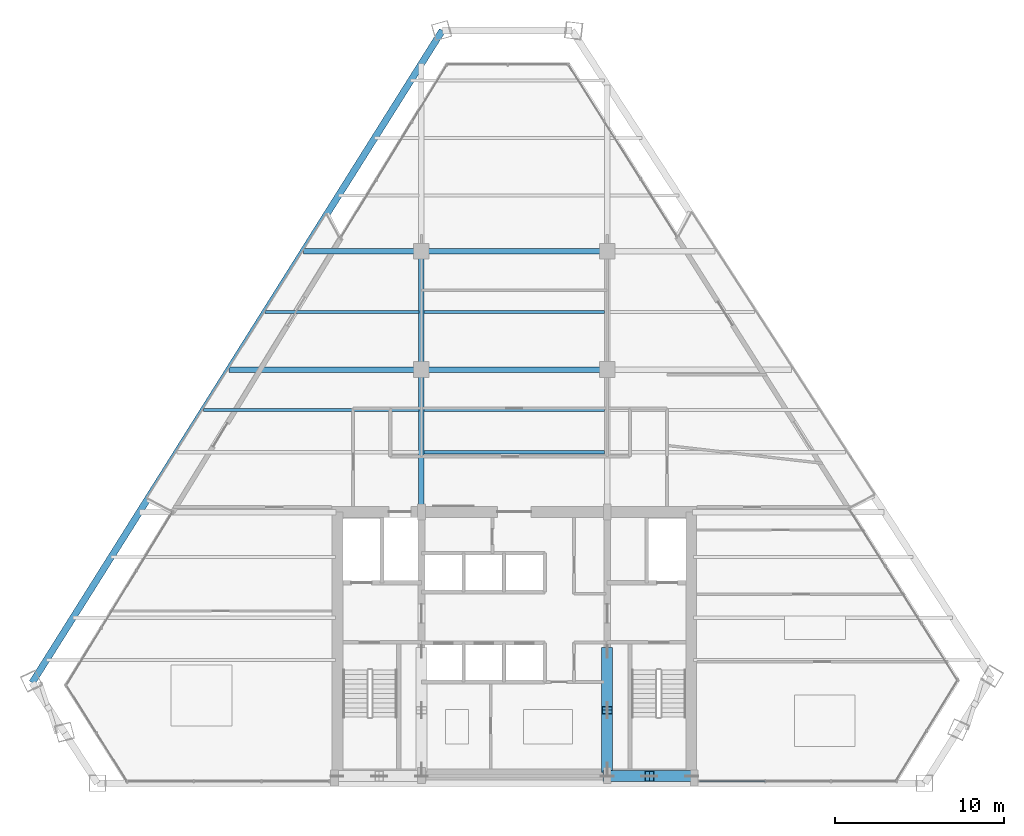
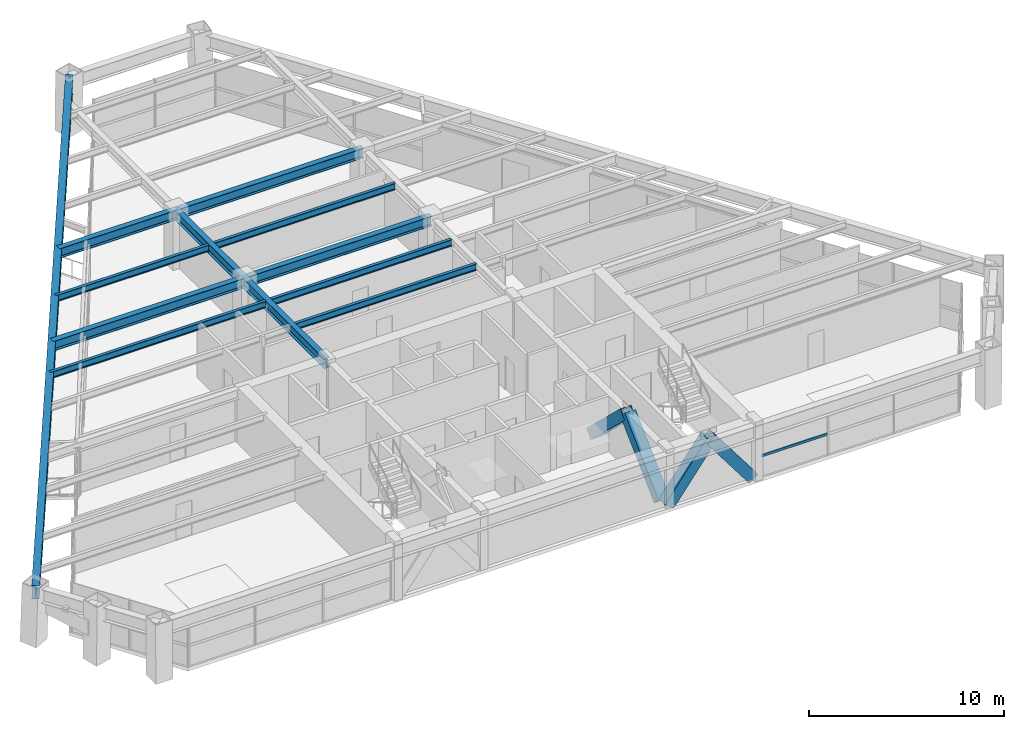
# One storey, part 5 of 15: 12 beams, 5 members, 1 element without a shape of its own.
"""IFC4 building model written with IfcOpenShell, lengths in metres."""

from ifc_helpers import new_model, si_unit, direction, frame, origin, origin_2d, place, context, subcontext, project, spatial, rectangle, hollow_rectangle, i_section, extrude, source, transform, mapped, material, material_profile, profile_set, type_object, type_shapes, element, aggregate, save


model = new_model("IFC4")

# Units and contexts
model_context = context("Model", 3, precision=1e-05, world=origin(), true_north=direction((0.0, 1.0)))
body_context = subcontext(model_context, "Body", "Model", "MODEL_VIEW")
ifc_project = project(units=[si_unit("LENGTHUNIT", "METRE"), si_unit("AREAUNIT", "SQUARE_METRE"), si_unit("VOLUMEUNIT", "CUBIC_METRE"), si_unit("PLANEANGLEUNIT", "RADIAN"), si_unit("MASSUNIT", "GRAM", prefix="KILO")], contexts=[model_context])

# Site, building, storey
site_placement = place(None, origin())
site = spatial("IfcSite", under=ifc_project, at=site_placement, CompositionType="ELEMENT")
building_placement = place(site_placement, origin())
building = spatial("IfcBuilding", under=site, at=building_placement, Name="Varnakhor Terracotta Tower", CompositionType="ELEMENT")
storey_placement = place(building_placement, frame((0.0, 0.0, 196.89990234375)))
storey = spatial("IfcBuildingStorey", under=building, at=storey_placement, Name="L50", CompositionType="ELEMENT", Elevation=196.89990234375)

# Beams
ifc_material_1 = material(Name="Steel S355", Category="steel")
ifc_material_profile_1 = material_profile(ifc_material_1, i_section(OverallWidth=0.324951171875, OverallDepth=0.615966796875, WebThickness=0.013916015625, FlangeThickness=0.02197265625, FilletRadius=0.01806640625, at=origin_2d()), Name="W24X117")
ifc_profile_set_1 = profile_set([ifc_material_profile_1], Name="Steel S355")
beam_type_1 = type_object("IfcBeamType", Name="BM-W24X117", PredefinedType="BEAM", material=ifc_profile_set_1)
shared_shape_1 = source(origin(), body_context, "Body", "SweptSolid", [
    extrude(i_section(OverallWidth=0.324951171875, OverallDepth=0.615966796875, WebThickness=0.013916015625, FlangeThickness=0.02197265625, FilletRadius=0.01806640625, at=origin_2d()), origin(), (0.0, 0.0, 1.0), 8.449951171875),
])
type_shapes(beam_type_1, [shared_shape_1])
beam_1_placement = place(storey_placement, frame((-5.5, 16.050048828125, 3.162109375), z_axis=(0.0, 1.0, 0.0), x_axis=(-1.0, 0.0, 0.0)))
element("IfcBeam", 1, at=beam_1_placement, inside=storey, type_object=beam_type_1, Name="L50 Primary Girder NS1-W", PredefinedType="BEAM", context=body_context, shape_type="MappedRepresentation", body=[
    mapped(shared_shape_1, transform((0.0, 0.0, 0.0), scale=1.0)),
])
shared_shape_2 = source(origin(), body_context, "Body", "SweptSolid", [
    extrude(i_section(OverallWidth=0.324951171875, OverallDepth=0.615966796875, WebThickness=0.013916015625, FlangeThickness=0.02197265625, FilletRadius=0.01806640625, at=origin_2d()), origin(), (0.0, 0.0, 1.0), 7.0),
])
beam_2_placement = place(storey_placement, frame((-5.5, 24.5, 3.162109375), z_axis=(0.0, 1.0, 0.0), x_axis=(-1.0, 0.0, 0.0)))
element("IfcBeam", 2, at=beam_2_placement, inside=storey, type_object=beam_type_1, Name="L50 Primary Girder NS2-W", PredefinedType="BEAM", context=body_context, shape_type="MappedRepresentation", body=[
    mapped(shared_shape_2, transform((0.0, 0.0, 0.0), scale=1.0)),
])
shared_shape_3 = source(origin(), body_context, "Body", "SweptSolid", [
    extrude(i_section(OverallWidth=0.324951171875, OverallDepth=0.615966796875, WebThickness=0.013916015625, FlangeThickness=0.02197265625, FilletRadius=0.01806640625, at=origin_2d()), origin(), (0.0, 0.0, 1.0), 11.0),
])
for number, where, z_axis, x_axis, name in (
    (3, (-5.5, 24.5, 3.162109375), (1.0, 0.0, 0.0), (0.0, 1.0, 0.0), "L50 Primary Girder EW2-2"),
    (4, (-5.5, 31.5, 3.162109375), (1.0, 0.0, 0.0), (0.0, 1.0, 0.0), "L50 Primary Girder EW3-2"),
):
    element("IfcBeam", number, at=place(storey_placement, frame(where, z_axis=z_axis, x_axis=x_axis)), inside=storey, type_object=beam_type_1, Name=name, PredefinedType="BEAM", context=body_context, shape_type="MappedRepresentation", body=[
        mapped(shared_shape_3, transform((0.0, 0.0, 0.0), scale=1.0)),
    ])
ifc_material_profile_2 = material_profile(ifc_material_1, i_section(OverallWidth=0.179931640625, OverallDepth=0.4130859375, WebThickness=0.009765625, FlangeThickness=0.01611328125, FilletRadius=0.01806640625, at=origin_2d()), Name="W16X50")
ifc_profile_set_2 = profile_set([ifc_material_profile_2], Name="Steel S355")
beam_type_2 = type_object("IfcBeamType", Name="JST-W16X50", PredefinedType="JOIST", material=ifc_profile_set_2)
shared_shape_4 = source(origin(), body_context, "Body", "SweptSolid", [
    extrude(i_section(OverallWidth=0.179931640625, OverallDepth=0.4130859375, WebThickness=0.009765625, FlangeThickness=0.01611328125, FilletRadius=0.01806640625, at=origin_2d()), origin(), (0.0, 0.0, 1.0), 10.68310546875),
])
for number, where, z_axis, x_axis, name in (
    (5, (-5.341552734375, 19.60009765625, 3.263671875), (1.0, 0.0, 0.0), (0.0, 1.0, 0.0), "L50 Composite Floor Joist 4-2"),
    (6, (-5.341552734375, 22.10009765625, 3.263671875), (1.0, 0.0, 0.0), (0.0, 1.0, 0.0), "L50 Composite Floor Joist 5-2"),
    (7, (-5.341552734375, 27.89990234375, 3.263671875), (1.0, 0.0, 0.0), (0.0, 1.0, 0.0), "L50 Composite Floor Joist 6-2"),
):
    element("IfcBeam", number, at=place(storey_placement, frame(where, z_axis=z_axis, x_axis=x_axis)), inside=storey, type_object=beam_type_2, Name=name, PredefinedType="JOIST", context=body_context, shape_type="MappedRepresentation", body=[
        mapped(shared_shape_4, transform((0.0, 0.0, 0.0), scale=1.0)),
    ])

# Members
ifc_material_2 = material(Name="Steel S460", Category="steel")
ifc_material_profile_3 = material_profile(ifc_material_2, hollow_rectangle(XDim=0.64990234375, YDim=0.64990234375, WallThickness=0.0400390625, at=origin_2d()), Name="HSS650X650X40")
ifc_profile_set_3 = profile_set([ifc_material_profile_3], Name="Steel S460")
member_type_1 = type_object("IfcMemberType", Name="MBR-MEGA-650", PredefinedType="BRACE", material=ifc_profile_set_3)
shared_shape_5 = source(origin(), body_context, "Body", "SweptSolid", [
    extrude(hollow_rectangle(XDim=0.64990234375, YDim=0.64990234375, WallThickness=0.0400390625, at=origin_2d()), origin(), (0.0, 0.0, 1.0), 4.805908203125),
])
member_1_placement = place(storey_placement, frame((5.5, 0.85009765625, 0.0), z_axis=(0.0, 0.723026776832, 0.69082000549), x_axis=(-1.0, 0.0, 0.0)))
element("IfcMember", 8, at=member_1_placement, inside=storey, type_object=member_type_1, Name="L50 Core Coupled Brace CWEA", PredefinedType="BRACE", context=body_context, shape_type="MappedRepresentation", body=[
    mapped(shared_shape_5, transform((0.0, 0.0, 0.0), scale=1.0)),
])
shared_shape_6 = source(origin(), body_context, "Body", "SweptSolid", [
    extrude(hollow_rectangle(XDim=0.64990234375, YDim=0.64990234375, WallThickness=0.0400390625, at=origin_2d()), origin(), (0.0, 0.0, 1.0), 4.156005859375),
])
for number, where, z_axis, x_axis, name in (
    (9, (5.5, 0.419921875, 0.0), (0.601530923869, 0.0, 0.798849515009), (0.0, 1.0, 0.0), "L50 Core Coupled Brace CSEA"),
    (10, (10.5, 0.419921875, 0.0), (-0.601530923869, 0.0, 0.798849515009), (0.0, -1.0, 0.0), "L50 Core Coupled Brace CSEB"),
):
    element("IfcMember", number, at=place(storey_placement, frame(where, z_axis=z_axis, x_axis=x_axis)), inside=storey, type_object=member_type_1, Name=name, PredefinedType="BRACE", context=body_context, shape_type="MappedRepresentation", body=[
        mapped(shared_shape_6, transform((0.0, 0.0, 0.0), scale=1.0)),
    ])
shared_shape_7 = source(origin(), body_context, "Body", "SweptSolid", [
    extrude(hollow_rectangle(XDim=0.64990234375, YDim=0.64990234375, WallThickness=0.0400390625, at=origin_2d()), origin(), (0.0, 0.0, 1.0), 4.80615234375),
])
member_2_placement = place(storey_placement, frame((5.5, 7.800048828125, 0.0), z_axis=(0.0, -0.723051018573, 0.690794632681), x_axis=(1.0, 0.0, 0.0)))
element("IfcMember", 11, at=member_2_placement, inside=storey, type_object=member_type_1, Name="L50 Core Coupled Brace CWEB", PredefinedType="BRACE", context=body_context, shape_type="MappedRepresentation", body=[
    mapped(shared_shape_7, transform((0.0, 0.0, 0.0), scale=1.0)),
])

# Beams
ifc_material_profile_4 = material_profile(ifc_material_1, i_section(OverallWidth=0.39990234375, OverallDepth=0.85498046875, WebThickness=0.01806640625, FlangeThickness=0.029052734375, FilletRadius=0.01806640625, at=origin_2d()), Name="W33X201")
ifc_profile_set_4 = profile_set([ifc_material_profile_4], Name="Steel S355")
beam_type_3 = type_object("IfcBeamType", Name="BM-W33X201", PredefinedType="BEAM", material=ifc_profile_set_4)
shared_shape_8 = source(origin(), body_context, "Body", "SweptSolid", [
    extrude(i_section(OverallWidth=0.39990234375, OverallDepth=0.85498046875, WebThickness=0.01806640625, FlangeThickness=0.029052734375, FilletRadius=0.01806640625, at=origin_2d()), origin(), (0.0, 0.0, 1.0), 45.62841796875),
])
beam_3_placement = place(storey_placement, frame((-4.26318359375, 44.580078125, 3.04248046875), z_axis=(-0.532364610558, -0.84651516314, 0.0), x_axis=(0.84651516314, -0.532364610558, 0.0)))
element("IfcBeam", 12, at=beam_3_placement, inside=storey, type_object=beam_type_3, Name="L50 Perimeter Spandrel 6", PredefinedType="BEAM", context=body_context, shape_type="MappedRepresentation", body=[
    mapped(shared_shape_8, transform((0.0, 0.0, 0.0), scale=1.0)),
])
shared_shape_9 = source(origin(), body_context, "Body", "SweptSolid", [
    extrude(i_section(OverallWidth=0.324951171875, OverallDepth=0.615966796875, WebThickness=0.013916015625, FlangeThickness=0.02197265625, FilletRadius=0.01806640625, at=origin_2d()), origin(), (0.0, 0.0, 1.0), 11.391357421875),
])
beam_4_placement = place(storey_placement, frame((-16.891357421875, 24.5, 3.162109375), z_axis=(1.0, 0.0, 0.0), x_axis=(0.0, 1.0, 0.0)))
element("IfcBeam", 13, at=beam_4_placement, inside=storey, type_object=beam_type_1, Name="L50 Primary Girder EW2-1", PredefinedType="BEAM", context=body_context, shape_type="MappedRepresentation", body=[
    mapped(shared_shape_9, transform((0.0, 0.0, 0.0), scale=1.0)),
])
shared_shape_10 = source(origin(), body_context, "Body", "SweptSolid", [
    extrude(i_section(OverallWidth=0.324951171875, OverallDepth=0.615966796875, WebThickness=0.013916015625, FlangeThickness=0.02197265625, FilletRadius=0.01806640625, at=origin_2d()), origin(), (0.0, 0.0, 1.0), 6.9892578125),
])
beam_5_placement = place(storey_placement, frame((-12.4892578125, 31.5, 3.162109375), z_axis=(1.0, 0.0, 0.0), x_axis=(0.0, 1.0, 0.0)))
element("IfcBeam", 14, at=beam_5_placement, inside=storey, type_object=beam_type_1, Name="L50 Primary Girder EW3-1", PredefinedType="BEAM", context=body_context, shape_type="MappedRepresentation", body=[
    mapped(shared_shape_10, transform((0.0, 0.0, 0.0), scale=1.0)),
])
shared_shape_11 = source(origin(), body_context, "Body", "SweptSolid", [
    extrude(i_section(OverallWidth=0.179931640625, OverallDepth=0.4130859375, WebThickness=0.009765625, FlangeThickness=0.01611328125, FilletRadius=0.01806640625, at=origin_2d()), origin(), (0.0, 0.0, 1.0), 12.7421875),
])
beam_6_placement = place(storey_placement, frame((-18.400634765625, 22.10009765625, 3.263671875), z_axis=(1.0, 0.0, 0.0), x_axis=(0.0, 1.0, 0.0)))
element("IfcBeam", 15, at=beam_6_placement, inside=storey, type_object=beam_type_2, Name="L50 Composite Floor Joist 5-1", PredefinedType="JOIST", context=body_context, shape_type="MappedRepresentation", body=[
    mapped(shared_shape_11, transform((0.0, 0.0, 0.0), scale=1.0)),
])
shared_shape_12 = source(origin(), body_context, "Body", "SweptSolid", [
    extrude(i_section(OverallWidth=0.179931640625, OverallDepth=0.4130859375, WebThickness=0.009765625, FlangeThickness=0.01611328125, FilletRadius=0.01806640625, at=origin_2d()), origin(), (0.0, 0.0, 1.0), 9.0947265625),
])
beam_7_placement = place(storey_placement, frame((-14.753173828125, 27.89990234375, 3.263671875), z_axis=(1.0, 0.0, 0.0), x_axis=(0.0, 1.0, 0.0)))
element("IfcBeam", 16, at=beam_7_placement, inside=storey, type_object=beam_type_2, Name="L50 Composite Floor Joist 6-1", PredefinedType="JOIST", context=body_context, shape_type="MappedRepresentation", body=[
    mapped(shared_shape_12, transform((0.0, 0.0, 0.0), scale=1.0)),
])

# Curtain wall, member
ifc_material_3 = material(Name="Anodised Aluminium Curtain Wall System", Category="aluminium")
curtain_wall_type = type_object("IfcCurtainWallType", Name="CW-SYS-MID-OFFICE", PredefinedType="NOTDEFINED", material=ifc_material_3)
curtain_wall_placement = place(storey_placement, origin())
curtain_wall = element("IfcCurtainWall", 17, at=curtain_wall_placement, inside=storey, type_object=curtain_wall_type, Name="L50 South Wing Curtain Wall SSE", PredefinedType="NOTDEFINED")
ifc_material_4 = material(Name="Anodised Aluminium 6063-T6", Category="aluminium")
ifc_material_profile_5 = material_profile(ifc_material_4, rectangle(XDim=0.070068359375, YDim=0.155029296875, at=origin_2d()), Name="ALU TRANSOM 70x155")
ifc_profile_set_5 = profile_set([ifc_material_profile_5], Name="Anodised Aluminium 6063-T6")
member_type_2 = type_object("IfcMemberType", Name="CWT-03", PredefinedType="USERDEFINED", material=ifc_profile_set_5)
shared_shape_13 = source(origin(), body_context, "Body", "SweptSolid", [
    extrude(rectangle(XDim=0.070068359375, YDim=0.155029296875, at=origin_2d()), origin(), (0.0, 0.0, 1.0), 3.888671875),
])
member_3_placement = place(storey_placement, frame((14.858642578125, 0.1201171875, 1.281005859375), z_axis=(-1.0, 0.0, 0.0), x_axis=(0.0, -1.0, 0.0)))
member_3 = element("IfcMember", 18, at=member_3_placement, type_object=member_type_2, Name="L50 South Wing Curtain Wall SSE Transom 3", ObjectType="TRANSOM", PredefinedType="USERDEFINED", context=body_context, shape_type="MappedRepresentation", body=[
    mapped(shared_shape_13, transform((0.0, 0.0, 0.0), scale=1.0)),
])
aggregate(curtain_wall, [member_3])

save(model, "model.ifc")
